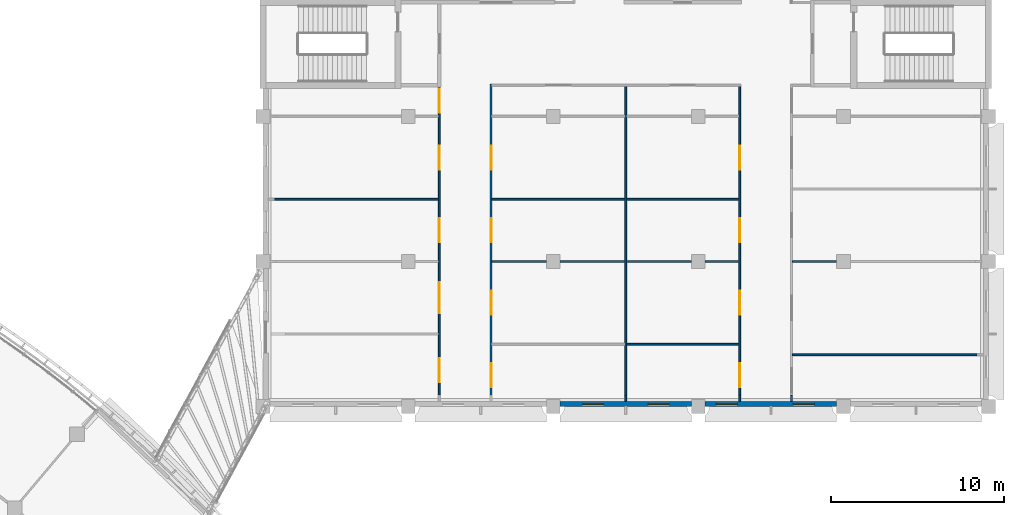
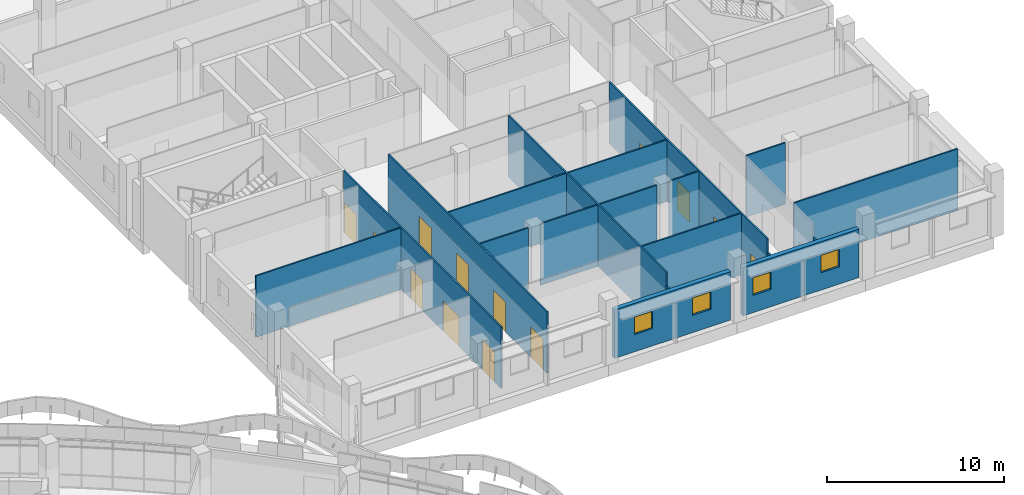
# One storey, part 81 of 136: 19 walls, 13 doors, 4 windows, 17 openings.
"""IFC4 building model written with IfcOpenShell, lengths in metres."""

from ifc_helpers import new_model, si_unit, direction, frame, frame_2d, origin, place, context, subcontext, project, spatial, rectangle, extrude, material, layer, layer_set, type_object, element, fill, save


model = new_model("IFC4")

# Units and contexts
model_context = context("Model", 3, precision=1e-05, world=origin(), true_north=direction((0.0, 1.0)))
body_context = subcontext(model_context, "Body", "Model", "MODEL_VIEW")
ifc_project = project(units=[si_unit("LENGTHUNIT", "METRE"), si_unit("AREAUNIT", "SQUARE_METRE"), si_unit("VOLUMEUNIT", "CUBIC_METRE"), si_unit("PLANEANGLEUNIT", "RADIAN"), si_unit("MASSUNIT", "GRAM", prefix="KILO")], contexts=[model_context])

# Site, building, storey
site_placement = place(None, origin())
site = spatial("IfcSite", under=ifc_project, at=site_placement, CompositionType="ELEMENT")
building_placement = place(site_placement, origin())
building = spatial("IfcBuilding", under=site, at=building_placement, Name="Bougainvillea Quay General Hospital", CompositionType="ELEMENT")
storey_placement = place(building_placement, frame((0.0, 0.0, 5.39990234375)))
storey = spatial("IfcBuildingStorey", under=building, at=storey_placement, Name="L01", CompositionType="ELEMENT", Elevation=5.39990234375)

# Wall, openings, windows
ifc_material_1 = material(Name="Pale stone rainscreen cladding on insulated masonry backing, pale stone", Category="masonry")
ifc_layer_1 = layer(ifc_material_1, 0.300048828125)
ifc_layer_set_1 = layer_set([ifc_layer_1], Name="Pale stone rainscreen cladding on insulated masonry backing, pale stone")
wall_type_1 = type_object("IfcWallType", Name="External wall pale stone rainscreen 300", PredefinedType="STANDARD", material=ifc_layer_set_1)
wall_1_placement = place(storey_placement, frame((181.0, 75.75, 0.0), z_axis=(0.0, 0.0, 1.0), x_axis=(1.0, 0.0, 0.0)))
wall_1 = element("IfcWall", 1, at=wall_1_placement, inside=storey, type_object=wall_type_1, Name="External wall wall/V3/L01/p0/01c", PredefinedType="STANDARD", context=body_context, shape_type="SweptSolid", body=[
    extrude(rectangle(XDim=7.60009765625, YDim=0.300048828125, at=frame_2d((3.800048828125, 0.0))), origin(), (0.0, 0.0, 1.0), 3.35009765625),
])
opening_1_placement = place(wall_1_placement, frame((1.300048828125, 0.0, 1.199951171875)))
opening_1 = element("IfcOpeningElement", 2, at=opening_1_placement, cuts=wall_1, Name="Opening W2", PredefinedType="OPENING", context=body_context, shape_type="SweptSolid", body=[
    extrude(rectangle(XDim=1.199951171875, YDim=1.199951171875, at=frame_2d((0.60009765625, 0.60009765625))), frame((0.0, 0.159912109375, 0.0), z_axis=(0.0, -1.0, 0.0), x_axis=(1.0, 0.0, 0.0)), (0.0, 0.0, 1.0), 0.320068359375),
])
opening_2_placement = place(wall_1_placement, frame((5.10009765625, 0.0, 1.199951171875)))
opening_2 = element("IfcOpeningElement", 3, at=opening_2_placement, cuts=wall_1, Name="Opening W2", PredefinedType="OPENING", context=body_context, shape_type="SweptSolid", body=[
    extrude(rectangle(XDim=1.199951171875, YDim=1.199951171875, at=frame_2d((0.60009765625, 0.60009765625))), frame((0.0, 0.159912109375, 0.0), z_axis=(0.0, -1.0, 0.0), x_axis=(1.0, 0.0, 0.0)), (0.0, 0.0, 1.0), 0.320068359375),
])
ifc_material_2 = material(Name="Aluminium window frame with low-e double glazed unit", Category="aluminium")
window_type = type_object("IfcWindowType", Name="Window W2 1200x1200", PartitioningType="SINGLE_PANEL", PredefinedType="WINDOW", material=ifc_material_2)
window_1_placement = place(opening_1_placement, origin())
window_1 = element("IfcWindow", 4, at=window_1_placement, inside=storey, type_object=window_type, Name="Window W2 1", OverallHeight=1.199951171875, OverallWidth=1.199951171875, PartitioningType="SINGLE_PANEL", PredefinedType="WINDOW", context=body_context, shape_type="SweptSolid", body=[
    extrude(rectangle(XDim=1.199951171875, YDim=1.199951171875, at=frame_2d((0.60009765625, 0.60009765625))), frame((0.0, 0.030029296875, 0.0), z_axis=(0.0, -1.0, 0.0), x_axis=(1.0, 0.0, 0.0)), (0.0, 0.0, 1.0), 0.06005859375),
])
fill(opening_1, window_1)
window_2_placement = place(opening_2_placement, origin())
window_2 = element("IfcWindow", 5, at=window_2_placement, inside=storey, type_object=window_type, Name="Window W2 2", OverallHeight=1.199951171875, OverallWidth=1.199951171875, PartitioningType="SINGLE_PANEL", PredefinedType="WINDOW", context=body_context, shape_type="SweptSolid", body=[
    extrude(rectangle(XDim=1.199951171875, YDim=1.199951171875, at=frame_2d((0.60009765625, 0.60009765625))), frame((0.0, 0.030029296875, 0.0), z_axis=(0.0, -1.0, 0.0), x_axis=(1.0, 0.0, 0.0)), (0.0, 0.0, 1.0), 0.06005859375),
])
fill(opening_2, window_2)

wall_2_placement = place(storey_placement, frame((189.39990234375, 75.75, 0.0), z_axis=(0.0, 0.0, 1.0), x_axis=(1.0, 0.0, 0.0)))
wall_2 = element("IfcWall", 6, at=wall_2_placement, inside=storey, type_object=wall_type_1, Name="External wall wall/V3/L01/p0/01d", PredefinedType="STANDARD", context=body_context, shape_type="SweptSolid", body=[
    extrude(rectangle(XDim=7.60009765625, YDim=0.300048828125, at=frame_2d((3.800048828125, 0.0))), origin(), (0.0, 0.0, 1.0), 3.35009765625),
])
opening_3_placement = place(wall_2_placement, frame((0.64990234375, 0.0, 1.199951171875)))
opening_3 = element("IfcOpeningElement", 7, at=opening_3_placement, cuts=wall_2, Name="Opening W2", PredefinedType="OPENING", context=body_context, shape_type="SweptSolid", body=[
    extrude(rectangle(XDim=1.199951171875, YDim=1.199951171875, at=frame_2d((0.60009765625, 0.60009765625))), frame((0.0, 0.159912109375, 0.0), z_axis=(0.0, -1.0, 0.0), x_axis=(1.0, 0.0, 0.0)), (0.0, 0.0, 1.0), 0.320068359375),
])
opening_4_placement = place(wall_2_placement, frame((5.10009765625, 0.0, 1.199951171875)))
opening_4 = element("IfcOpeningElement", 8, at=opening_4_placement, cuts=wall_2, Name="Opening W2", PredefinedType="OPENING", context=body_context, shape_type="SweptSolid", body=[
    extrude(rectangle(XDim=1.199951171875, YDim=1.199951171875, at=frame_2d((0.60009765625, 0.60009765625))), frame((0.0, 0.159912109375, 0.0), z_axis=(0.0, -1.0, 0.0), x_axis=(1.0, 0.0, 0.0)), (0.0, 0.0, 1.0), 0.320068359375),
])
window_3_placement = place(opening_3_placement, origin())
window_3 = element("IfcWindow", 9, at=window_3_placement, inside=storey, type_object=window_type, Name="Window W2 1", OverallHeight=1.199951171875, OverallWidth=1.199951171875, PartitioningType="SINGLE_PANEL", PredefinedType="WINDOW", context=body_context, shape_type="SweptSolid", body=[
    extrude(rectangle(XDim=1.199951171875, YDim=1.199951171875, at=frame_2d((0.60009765625, 0.60009765625))), frame((0.0, 0.030029296875, 0.0), z_axis=(0.0, -1.0, 0.0), x_axis=(1.0, 0.0, 0.0)), (0.0, 0.0, 1.0), 0.06005859375),
])
fill(opening_3, window_3)
window_4_placement = place(opening_4_placement, origin())
window_4 = element("IfcWindow", 10, at=window_4_placement, inside=storey, type_object=window_type, Name="Window W2 2", OverallHeight=1.199951171875, OverallWidth=1.199951171875, PartitioningType="SINGLE_PANEL", PredefinedType="WINDOW", context=body_context, shape_type="SweptSolid", body=[
    extrude(rectangle(XDim=1.199951171875, YDim=1.199951171875, at=frame_2d((0.60009765625, 0.60009765625))), frame((0.0, 0.030029296875, 0.0), z_axis=(0.0, -1.0, 0.0), x_axis=(1.0, 0.0, 0.0)), (0.0, 0.0, 1.0), 0.06005859375),
])
fill(opening_4, window_4)

# Wall, openings, doors
ifc_material_3 = material(Name="Gypsum board partition on steel studs", Category="steel")
ifc_layer_2 = layer(ifc_material_3, 0.10009765625)
ifc_layer_set_2 = layer_set([ifc_layer_2], Name="Gypsum board partition on steel studs")
wall_type_2 = type_object("IfcWallType", Name="Partition 100 Gypsum board partition", PredefinedType="PARTITIONING", material=ifc_layer_set_2)
wall_3_placement = place(storey_placement, frame((174.0, 94.10009765625, 0.0), z_axis=(0.0, 0.0, 1.0), x_axis=(0.0, -1.0, 0.0)))
wall_3 = element("IfcWall", 11, at=wall_3_placement, inside=storey, type_object=wall_type_2, Name="Partition 100 mm", PredefinedType="PARTITIONING", context=body_context, shape_type="SweptSolid", body=[
    extrude(rectangle(XDim=17.85009765625, YDim=0.10009765625, at=frame_2d((8.925048828125, 0.0))), origin(), (0.0, 0.0, 1.0), 4.25),
])
opening_5_placement = place(wall_3_placement, frame((0.10009765625, 0.0, 0.0)))
opening_5 = element("IfcOpeningElement", 12, at=opening_5_placement, cuts=wall_3, Name="Opening L01.097", PredefinedType="OPENING", context=body_context, shape_type="SweptSolid", body=[
    extrude(rectangle(XDim=1.39990234375, YDim=2.10009765625, at=frame_2d((0.699951171875, 1.050048828125))), frame((0.0, 0.06005859375, 0.0), z_axis=(0.0, -1.0, 0.0), x_axis=(1.0, 0.0, 0.0)), (0.0, 0.0, 1.0), 0.1201171875),
])
opening_6_placement = place(wall_3_placement, frame((3.39990234375, 0.0, 0.0)))
opening_6 = element("IfcOpeningElement", 13, at=opening_6_placement, cuts=wall_3, Name="Opening L01.098", PredefinedType="OPENING", context=body_context, shape_type="SweptSolid", body=[
    extrude(rectangle(XDim=1.39990234375, YDim=2.10009765625, at=frame_2d((0.699951171875, 1.050048828125))), frame((0.0, 0.06005859375, 0.0), z_axis=(0.0, -1.0, 0.0), x_axis=(1.0, 0.0, 0.0)), (0.0, 0.0, 1.0), 0.1201171875),
])
opening_7_placement = place(wall_3_placement, frame((7.60009765625, 0.0, 0.0)))
opening_7 = element("IfcOpeningElement", 14, at=opening_7_placement, cuts=wall_3, Name="Opening L01.099", PredefinedType="OPENING", context=body_context, shape_type="SweptSolid", body=[
    extrude(rectangle(XDim=1.39990234375, YDim=2.10009765625, at=frame_2d((0.699951171875, 1.050048828125))), frame((0.0, 0.06005859375, 0.0), z_axis=(0.0, -1.0, 0.0), x_axis=(1.0, 0.0, 0.0)), (0.0, 0.0, 1.0), 0.1201171875),
])
opening_8_placement = place(wall_3_placement, frame((11.300048828125, 0.0, 0.0)))
opening_8 = element("IfcOpeningElement", 15, at=opening_8_placement, cuts=wall_3, Name="Opening L01.100", PredefinedType="OPENING", context=body_context, shape_type="SweptSolid", body=[
    extrude(rectangle(XDim=1.800048828125, YDim=2.10009765625, at=frame_2d((0.89990234375, 1.050048828125))), frame((0.0, 0.06005859375, 0.0), z_axis=(0.0, -1.0, 0.0), x_axis=(1.0, 0.0, 0.0)), (0.0, 0.0, 1.0), 0.1201171875),
])
opening_9_placement = place(wall_3_placement, frame((15.699951171875, 0.0, 0.0)))
opening_9 = element("IfcOpeningElement", 16, at=opening_9_placement, cuts=wall_3, Name="Opening L01.101", PredefinedType="OPENING", context=body_context, shape_type="SweptSolid", body=[
    extrude(rectangle(XDim=1.39990234375, YDim=2.10009765625, at=frame_2d((0.699951171875, 1.050048828125))), frame((0.0, 0.06005859375, 0.0), z_axis=(0.0, -1.0, 0.0), x_axis=(1.0, 0.0, 0.0)), (0.0, 0.0, 1.0), 0.1201171875),
])
ifc_material_4 = material(Name="Solid-core timber door leaves in steel frame", Category="steel")
door_type_1 = type_object("IfcDoorType", Name="Bed door pair 1400x2100", OperationType="DOUBLE_DOOR_SINGLE_SWING", PredefinedType="DOOR", material=ifc_material_4)
door_1_placement = place(opening_5_placement, frame((1.39990234375, 0.0, 0.0), z_axis=(0.0, 0.0, 1.0), x_axis=(-1.0, 0.0, 0.0)))
door_1 = element("IfcDoor", 17, at=door_1_placement, inside=storey, type_object=door_type_1, Name="DT09 L01.097", OperationType="DOUBLE_DOOR_SINGLE_SWING", OverallHeight=2.10009765625, OverallWidth=1.39990234375, PredefinedType="DOOR", context=body_context, shape_type="SweptSolid", body=[
    extrude(rectangle(XDim=1.39990234375, YDim=2.10009765625, at=frame_2d((0.699951171875, 1.050048828125))), frame((0.0, 0.02490234375, 0.0), z_axis=(0.0, -1.0, 0.0), x_axis=(1.0, 0.0, 0.0)), (0.0, 0.0, 1.0), 0.050048828125),
])
fill(opening_5, door_1)
door_2_placement = place(opening_6_placement, frame((1.39990234375, 0.0, 0.0), z_axis=(0.0, 0.0, 1.0), x_axis=(-1.0, 0.0, 0.0)))
door_2 = element("IfcDoor", 18, at=door_2_placement, inside=storey, type_object=door_type_1, Name="DT09 L01.098", OperationType="DOUBLE_DOOR_SINGLE_SWING", OverallHeight=2.10009765625, OverallWidth=1.39990234375, PredefinedType="DOOR", context=body_context, shape_type="SweptSolid", body=[
    extrude(rectangle(XDim=1.39990234375, YDim=2.10009765625, at=frame_2d((0.699951171875, 1.050048828125))), frame((0.0, 0.02490234375, 0.0), z_axis=(0.0, -1.0, 0.0), x_axis=(1.0, 0.0, 0.0)), (0.0, 0.0, 1.0), 0.050048828125),
])
fill(opening_6, door_2)
door_3_placement = place(opening_7_placement, frame((1.39990234375, 0.0, 0.0), z_axis=(0.0, 0.0, 1.0), x_axis=(-1.0, 0.0, 0.0)))
door_3 = element("IfcDoor", 19, at=door_3_placement, inside=storey, type_object=door_type_1, Name="DT09 L01.099", OperationType="DOUBLE_DOOR_SINGLE_SWING", OverallHeight=2.10009765625, OverallWidth=1.39990234375, PredefinedType="DOOR", context=body_context, shape_type="SweptSolid", body=[
    extrude(rectangle(XDim=1.39990234375, YDim=2.10009765625, at=frame_2d((0.699951171875, 1.050048828125))), frame((0.0, 0.02490234375, 0.0), z_axis=(0.0, -1.0, 0.0), x_axis=(1.0, 0.0, 0.0)), (0.0, 0.0, 1.0), 0.050048828125),
])
fill(opening_7, door_3)
door_4_placement = place(opening_9_placement, frame((1.39990234375, 0.0, 0.0), z_axis=(0.0, 0.0, 1.0), x_axis=(-1.0, 0.0, 0.0)))
door_4 = element("IfcDoor", 20, at=door_4_placement, inside=storey, type_object=door_type_1, Name="DT09 L01.101", OperationType="DOUBLE_DOOR_SINGLE_SWING", OverallHeight=2.10009765625, OverallWidth=1.39990234375, PredefinedType="DOOR", context=body_context, shape_type="SweptSolid", body=[
    extrude(rectangle(XDim=1.39990234375, YDim=2.10009765625, at=frame_2d((0.699951171875, 1.050048828125))), frame((0.0, 0.02490234375, 0.0), z_axis=(0.0, -1.0, 0.0), x_axis=(1.0, 0.0, 0.0)), (0.0, 0.0, 1.0), 0.050048828125),
])
fill(opening_9, door_4)
door_type_2 = type_object("IfcDoorType", Name="Double leaf door 1800x2100", OperationType="DOUBLE_DOOR_SINGLE_SWING", PredefinedType="DOOR", material=ifc_material_4)
door_5_placement = place(opening_8_placement, frame((1.800048828125, 0.0, 0.0), z_axis=(0.0, 0.0, 1.0), x_axis=(-1.0, 0.0, 0.0)))
door_5 = element("IfcDoor", 21, at=door_5_placement, inside=storey, type_object=door_type_2, Name="DT08 L01.100", OperationType="DOUBLE_DOOR_SINGLE_SWING", OverallHeight=2.10009765625, OverallWidth=1.800048828125, PredefinedType="DOOR", context=body_context, shape_type="SweptSolid", body=[
    extrude(rectangle(XDim=1.800048828125, YDim=2.10009765625, at=frame_2d((0.89990234375, 1.050048828125))), frame((0.0, 0.02490234375, 0.0), z_axis=(0.0, -1.0, 0.0), x_axis=(1.0, 0.0, 0.0)), (0.0, 0.0, 1.0), 0.050048828125),
])
fill(opening_8, door_5)

wall_4_placement = place(storey_placement, frame((177.0, 94.25, 0.0), z_axis=(0.0, 0.0, 1.0), x_axis=(0.0, -1.0, 0.0)))
wall_4 = element("IfcWall", 22, at=wall_4_placement, inside=storey, type_object=wall_type_2, Name="Partition 100 mm", PredefinedType="PARTITIONING", context=body_context, shape_type="SweptSolid", body=[
    extrude(rectangle(XDim=18.0, YDim=0.10009765625, at=frame_2d((9.0, 0.0))), origin(), (0.0, 0.0, 1.0), 4.25),
])
opening_10_placement = place(wall_4_placement, frame((3.550048828125, 0.0, 0.0)))
opening_10 = element("IfcOpeningElement", 23, at=opening_10_placement, cuts=wall_4, Name="Opening L01.103", PredefinedType="OPENING", context=body_context, shape_type="SweptSolid", body=[
    extrude(rectangle(XDim=1.39990234375, YDim=2.10009765625, at=frame_2d((0.699951171875, 1.050048828125))), frame((0.0, 0.06005859375, 0.0), z_axis=(0.0, -1.0, 0.0), x_axis=(1.0, 0.0, 0.0)), (0.0, 0.0, 1.0), 0.1201171875),
])
opening_11_placement = place(wall_4_placement, frame((7.75, 0.0, 0.0)))
opening_11 = element("IfcOpeningElement", 24, at=opening_11_placement, cuts=wall_4, Name="Opening L01.104", PredefinedType="OPENING", context=body_context, shape_type="SweptSolid", body=[
    extrude(rectangle(XDim=1.39990234375, YDim=2.10009765625, at=frame_2d((0.699951171875, 1.050048828125))), frame((0.0, 0.06005859375, 0.0), z_axis=(0.0, -1.0, 0.0), x_axis=(1.0, 0.0, 0.0)), (0.0, 0.0, 1.0), 0.1201171875),
])
opening_12_placement = place(wall_4_placement, frame((11.949951171875, 0.0, 0.0)))
opening_12 = element("IfcOpeningElement", 25, at=opening_12_placement, cuts=wall_4, Name="Opening L01.105", PredefinedType="OPENING", context=body_context, shape_type="SweptSolid", body=[
    extrude(rectangle(XDim=1.39990234375, YDim=2.10009765625, at=frame_2d((0.699951171875, 1.050048828125))), frame((0.0, 0.06005859375, 0.0), z_axis=(0.0, -1.0, 0.0), x_axis=(1.0, 0.0, 0.0)), (0.0, 0.0, 1.0), 0.1201171875),
])
opening_13_placement = place(wall_4_placement, frame((16.14990234375, 0.0, 0.0)))
opening_13 = element("IfcOpeningElement", 26, at=opening_13_placement, cuts=wall_4, Name="Opening L01.106", PredefinedType="OPENING", context=body_context, shape_type="SweptSolid", body=[
    extrude(rectangle(XDim=1.39990234375, YDim=2.10009765625, at=frame_2d((0.699951171875, 1.050048828125))), frame((0.0, 0.06005859375, 0.0), z_axis=(0.0, -1.0, 0.0), x_axis=(1.0, 0.0, 0.0)), (0.0, 0.0, 1.0), 0.1201171875),
])
door_6_placement = place(opening_10_placement, origin())
door_6 = element("IfcDoor", 27, at=door_6_placement, inside=storey, type_object=door_type_1, Name="DT09 L01.103", OperationType="DOUBLE_DOOR_SINGLE_SWING", OverallHeight=2.10009765625, OverallWidth=1.39990234375, PredefinedType="DOOR", context=body_context, shape_type="SweptSolid", body=[
    extrude(rectangle(XDim=1.39990234375, YDim=2.10009765625, at=frame_2d((0.699951171875, 1.050048828125))), frame((0.0, 0.02490234375, 0.0), z_axis=(0.0, -1.0, 0.0), x_axis=(1.0, 0.0, 0.0)), (0.0, 0.0, 1.0), 0.050048828125),
])
fill(opening_10, door_6)
door_7_placement = place(opening_11_placement, origin())
door_7 = element("IfcDoor", 28, at=door_7_placement, inside=storey, type_object=door_type_1, Name="DT09 L01.104", OperationType="DOUBLE_DOOR_SINGLE_SWING", OverallHeight=2.10009765625, OverallWidth=1.39990234375, PredefinedType="DOOR", context=body_context, shape_type="SweptSolid", body=[
    extrude(rectangle(XDim=1.39990234375, YDim=2.10009765625, at=frame_2d((0.699951171875, 1.050048828125))), frame((0.0, 0.02490234375, 0.0), z_axis=(0.0, -1.0, 0.0), x_axis=(1.0, 0.0, 0.0)), (0.0, 0.0, 1.0), 0.050048828125),
])
fill(opening_11, door_7)
door_8_placement = place(opening_12_placement, origin())
door_8 = element("IfcDoor", 29, at=door_8_placement, inside=storey, type_object=door_type_1, Name="DT09 L01.105", OperationType="DOUBLE_DOOR_SINGLE_SWING", OverallHeight=2.10009765625, OverallWidth=1.39990234375, PredefinedType="DOOR", context=body_context, shape_type="SweptSolid", body=[
    extrude(rectangle(XDim=1.39990234375, YDim=2.10009765625, at=frame_2d((0.699951171875, 1.050048828125))), frame((0.0, 0.02490234375, 0.0), z_axis=(0.0, -1.0, 0.0), x_axis=(1.0, 0.0, 0.0)), (0.0, 0.0, 1.0), 0.050048828125),
])
fill(opening_12, door_8)
door_9_placement = place(opening_13_placement, origin())
door_9 = element("IfcDoor", 30, at=door_9_placement, inside=storey, type_object=door_type_1, Name="DT09 L01.106", OperationType="DOUBLE_DOOR_SINGLE_SWING", OverallHeight=2.10009765625, OverallWidth=1.39990234375, PredefinedType="DOOR", context=body_context, shape_type="SweptSolid", body=[
    extrude(rectangle(XDim=1.39990234375, YDim=2.10009765625, at=frame_2d((0.699951171875, 1.050048828125))), frame((0.0, 0.02490234375, 0.0), z_axis=(0.0, -1.0, 0.0), x_axis=(1.0, 0.0, 0.0)), (0.0, 0.0, 1.0), 0.050048828125),
])
fill(opening_13, door_9)

# Walls
wall_5_placement = place(storey_placement, frame((184.800048828125, 94.14990234375, 0.0), z_axis=(0.0, 0.0, 1.0), x_axis=(0.0, -1.0, 0.0)))
element("IfcWall", 31, at=wall_5_placement, inside=storey, type_object=wall_type_2, Name="Partition 100 mm", PredefinedType="PARTITIONING", context=body_context, shape_type="SweptSolid", body=[
    extrude(rectangle(XDim=17.89990234375, YDim=0.10009765625, at=frame_2d((8.949951171875, 0.0))), origin(), (0.0, 0.0, 1.0), 4.25),
])
wall_6_placement = place(storey_placement, frame((184.800048828125, 76.25, 0.0), z_axis=(0.0, 0.0, 1.0), x_axis=(0.0, -1.0, 0.0)))
element("IfcWall", 32, at=wall_6_placement, inside=storey, type_object=wall_type_2, Name="Partition 100 mm", PredefinedType="PARTITIONING", context=body_context, shape_type="SweptSolid", body=[
    extrude(rectangle(XDim=0.35009765625, YDim=0.10009765625, at=frame_2d((0.175048828125, 0.0))), origin(), (0.0, 0.0, 1.0), 3.330078125),
])

# Wall, openings, doors
wall_7_placement = place(storey_placement, frame((191.39990234375, 94.14990234375, 0.0), z_axis=(0.0, 0.0, 1.0), x_axis=(0.0, -1.0, 0.0)))
wall_7 = element("IfcWall", 33, at=wall_7_placement, inside=storey, type_object=wall_type_2, Name="Partition 100 mm", PredefinedType="PARTITIONING", context=body_context, shape_type="SweptSolid", body=[
    extrude(rectangle(XDim=17.89990234375, YDim=0.10009765625, at=frame_2d((8.949951171875, 0.0))), origin(), (0.0, 0.0, 1.0), 4.25),
])
opening_14_placement = place(wall_7_placement, frame((3.449951171875, 0.0, 0.0)))
opening_14 = element("IfcOpeningElement", 34, at=opening_14_placement, cuts=wall_7, Name="Opening L01.108", PredefinedType="OPENING", context=body_context, shape_type="SweptSolid", body=[
    extrude(rectangle(XDim=1.39990234375, YDim=2.10009765625, at=frame_2d((0.699951171875, 1.050048828125))), frame((0.0, 0.06005859375, 0.0), z_axis=(0.0, -1.0, 0.0), x_axis=(1.0, 0.0, 0.0)), (0.0, 0.0, 1.0), 0.1201171875),
])
opening_15_placement = place(wall_7_placement, frame((7.64990234375, 0.0, 0.0)))
opening_15 = element("IfcOpeningElement", 35, at=opening_15_placement, cuts=wall_7, Name="Opening L01.109", PredefinedType="OPENING", context=body_context, shape_type="SweptSolid", body=[
    extrude(rectangle(XDim=1.39990234375, YDim=2.10009765625, at=frame_2d((0.699951171875, 1.050048828125))), frame((0.0, 0.06005859375, 0.0), z_axis=(0.0, -1.0, 0.0), x_axis=(1.0, 0.0, 0.0)), (0.0, 0.0, 1.0), 0.1201171875),
])
opening_16_placement = place(wall_7_placement, frame((11.85009765625, 0.0, 0.0)))
opening_16 = element("IfcOpeningElement", 36, at=opening_16_placement, cuts=wall_7, Name="Opening L01.110", PredefinedType="OPENING", context=body_context, shape_type="SweptSolid", body=[
    extrude(rectangle(XDim=1.39990234375, YDim=2.10009765625, at=frame_2d((0.699951171875, 1.050048828125))), frame((0.0, 0.06005859375, 0.0), z_axis=(0.0, -1.0, 0.0), x_axis=(1.0, 0.0, 0.0)), (0.0, 0.0, 1.0), 0.1201171875),
])
opening_17_placement = place(wall_7_placement, frame((16.050048828125, 0.0, 0.0)))
opening_17 = element("IfcOpeningElement", 37, at=opening_17_placement, cuts=wall_7, Name="Opening L01.111", PredefinedType="OPENING", context=body_context, shape_type="SweptSolid", body=[
    extrude(rectangle(XDim=1.39990234375, YDim=2.10009765625, at=frame_2d((0.699951171875, 1.050048828125))), frame((0.0, 0.06005859375, 0.0), z_axis=(0.0, -1.0, 0.0), x_axis=(1.0, 0.0, 0.0)), (0.0, 0.0, 1.0), 0.1201171875),
])
door_10_placement = place(opening_14_placement, frame((1.39990234375, 0.0, 0.0), z_axis=(0.0, 0.0, 1.0), x_axis=(-1.0, 0.0, 0.0)))
door_10 = element("IfcDoor", 38, at=door_10_placement, inside=storey, type_object=door_type_1, Name="DT09 L01.108", OperationType="DOUBLE_DOOR_SINGLE_SWING", OverallHeight=2.10009765625, OverallWidth=1.39990234375, PredefinedType="DOOR", context=body_context, shape_type="SweptSolid", body=[
    extrude(rectangle(XDim=1.39990234375, YDim=2.10009765625, at=frame_2d((0.699951171875, 1.050048828125))), frame((0.0, 0.02490234375, 0.0), z_axis=(0.0, -1.0, 0.0), x_axis=(1.0, 0.0, 0.0)), (0.0, 0.0, 1.0), 0.050048828125),
])
fill(opening_14, door_10)
door_11_placement = place(opening_15_placement, frame((1.39990234375, 0.0, 0.0), z_axis=(0.0, 0.0, 1.0), x_axis=(-1.0, 0.0, 0.0)))
door_11 = element("IfcDoor", 39, at=door_11_placement, inside=storey, type_object=door_type_1, Name="DT09 L01.109", OperationType="DOUBLE_DOOR_SINGLE_SWING", OverallHeight=2.10009765625, OverallWidth=1.39990234375, PredefinedType="DOOR", context=body_context, shape_type="SweptSolid", body=[
    extrude(rectangle(XDim=1.39990234375, YDim=2.10009765625, at=frame_2d((0.699951171875, 1.050048828125))), frame((0.0, 0.02490234375, 0.0), z_axis=(0.0, -1.0, 0.0), x_axis=(1.0, 0.0, 0.0)), (0.0, 0.0, 1.0), 0.050048828125),
])
fill(opening_15, door_11)
door_12_placement = place(opening_16_placement, frame((1.39990234375, 0.0, 0.0), z_axis=(0.0, 0.0, 1.0), x_axis=(-1.0, 0.0, 0.0)))
door_12 = element("IfcDoor", 40, at=door_12_placement, inside=storey, type_object=door_type_1, Name="DT09 L01.110", OperationType="DOUBLE_DOOR_SINGLE_SWING", OverallHeight=2.10009765625, OverallWidth=1.39990234375, PredefinedType="DOOR", context=body_context, shape_type="SweptSolid", body=[
    extrude(rectangle(XDim=1.39990234375, YDim=2.10009765625, at=frame_2d((0.699951171875, 1.050048828125))), frame((0.0, 0.02490234375, 0.0), z_axis=(0.0, -1.0, 0.0), x_axis=(1.0, 0.0, 0.0)), (0.0, 0.0, 1.0), 0.050048828125),
])
fill(opening_16, door_12)
door_13_placement = place(opening_17_placement, frame((1.39990234375, 0.0, 0.0), z_axis=(0.0, 0.0, 1.0), x_axis=(-1.0, 0.0, 0.0)))
door_13 = element("IfcDoor", 41, at=door_13_placement, inside=storey, type_object=door_type_1, Name="DT09 L01.111", OperationType="DOUBLE_DOOR_SINGLE_SWING", OverallHeight=2.10009765625, OverallWidth=1.39990234375, PredefinedType="DOOR", context=body_context, shape_type="SweptSolid", body=[
    extrude(rectangle(XDim=1.39990234375, YDim=2.10009765625, at=frame_2d((0.699951171875, 1.050048828125))), frame((0.0, 0.02490234375, 0.0), z_axis=(0.0, -1.0, 0.0), x_axis=(1.0, 0.0, 0.0)), (0.0, 0.0, 1.0), 0.050048828125),
])
fill(opening_17, door_13)

# Walls
for number, where, z_axis, x_axis, name in (
    (42, (191.39990234375, 76.25, 0.0), (0.0, 0.0, 1.0), (0.0, -1.0, 0.0), "Partition 100 mm"),
    (43, (194.39990234375, 76.25, 0.0), (0.0, 0.0, 1.0), (0.0, -1.0, 0.0), "Partition 100 mm"),
):
    element("IfcWall", number, at=place(storey_placement, frame(where, z_axis=z_axis, x_axis=x_axis)), inside=storey, type_object=wall_type_2, Name=name, PredefinedType="PARTITIONING", context=body_context, shape_type="SweptSolid", body=[
        extrude(rectangle(XDim=0.35009765625, YDim=0.10009765625, at=frame_2d((0.175048828125, 0.0))), origin(), (0.0, 0.0, 1.0), 3.330078125),
    ])
wall_8_placement = place(storey_placement, frame((184.85009765625, 79.199951171875, 0.0), z_axis=(0.0, 0.0, 1.0), x_axis=(1.0, 0.0, 0.0)))
element("IfcWall", 44, at=wall_8_placement, inside=storey, type_object=wall_type_2, Name="Partition 100 mm", PredefinedType="PARTITIONING", context=body_context, shape_type="SweptSolid", body=[
    extrude(rectangle(XDim=6.5, YDim=0.10009765625, at=frame_2d((3.25, 0.0))), origin(), (0.0, 0.0, 1.0), 4.25),
])
wall_9_placement = place(storey_placement, frame((177.050048828125, 84.0, 0.0), z_axis=(0.0, 0.0, 1.0), x_axis=(1.0, 0.0, 0.0)))
element("IfcWall", 45, at=wall_9_placement, inside=storey, type_object=wall_type_2, Name="Partition 100 mm", PredefinedType="PARTITIONING", context=body_context, shape_type="SweptSolid", body=[
    extrude(rectangle(XDim=3.14990234375, YDim=0.10009765625, at=frame_2d((1.574951171875, 0.0))), origin(), (0.0, 0.0, 1.0), 4.25),
])
for number, where, z_axis, x_axis, name in (
    (46, (181.0, 84.0, 0.0), (0.0, 0.0, 1.0), (1.0, 0.0, 0.0), "Partition 100 mm"),
    (47, (184.85009765625, 84.0, 0.0), (0.0, 0.0, 1.0), (1.0, 0.0, 0.0), "Partition 100 mm"),
):
    element("IfcWall", number, at=place(storey_placement, frame(where, z_axis=z_axis, x_axis=x_axis)), inside=storey, type_object=wall_type_2, Name=name, PredefinedType="PARTITIONING", context=body_context, shape_type="SweptSolid", body=[
        extrude(rectangle(XDim=3.75, YDim=0.10009765625, at=frame_2d((1.875, 0.0))), origin(), (0.0, 0.0, 1.0), 4.25),
    ])
wall_10_placement = place(storey_placement, frame((189.39990234375, 84.0, 0.0), z_axis=(0.0, 0.0, 1.0), x_axis=(1.0, 0.0, 0.0)))
element("IfcWall", 48, at=wall_10_placement, inside=storey, type_object=wall_type_2, Name="Partition 100 mm", PredefinedType="PARTITIONING", context=body_context, shape_type="SweptSolid", body=[
    extrude(rectangle(XDim=1.9501953125, YDim=0.10009765625, at=frame_2d((0.97509765625, 0.0))), origin(), (0.0, 0.0, 1.0), 4.25),
])
wall_11_placement = place(storey_placement, frame((177.050048828125, 87.60009765625, 0.0), z_axis=(0.0, 0.0, 1.0), x_axis=(1.0, 0.0, 0.0)))
element("IfcWall", 49, at=wall_11_placement, inside=storey, type_object=wall_type_2, Name="Partition 100 mm", PredefinedType="PARTITIONING", context=body_context, shape_type="SweptSolid", body=[
    extrude(rectangle(XDim=7.699951171875, YDim=0.10009765625, at=frame_2d((3.85009765625, 0.0))), origin(), (0.0, 0.0, 1.0), 4.25),
])
wall_12_placement = place(storey_placement, frame((184.85009765625, 87.60009765625, 0.0), z_axis=(0.0, 0.0, 1.0), x_axis=(1.0, 0.0, 0.0)))
element("IfcWall", 50, at=wall_12_placement, inside=storey, type_object=wall_type_2, Name="Partition 100 mm", PredefinedType="PARTITIONING", context=body_context, shape_type="SweptSolid", body=[
    extrude(rectangle(XDim=6.5, YDim=0.10009765625, at=frame_2d((3.25, 0.0))), origin(), (0.0, 0.0, 1.0), 4.25),
])
wall_13_placement = place(storey_placement, frame((194.449951171875, 78.60009765625, 0.0), z_axis=(0.0, 0.0, 1.0), x_axis=(1.0, 0.0, 0.0)))
element("IfcWall", 51, at=wall_13_placement, inside=storey, type_object=wall_type_2, Name="Partition 100 mm", PredefinedType="PARTITIONING", context=body_context, shape_type="SweptSolid", body=[
    extrude(rectangle(XDim=10.699951171875, YDim=0.10009765625, at=frame_2d((5.35009765625, 0.0))), origin(), (0.0, 0.0, 1.0), 4.25),
])
wall_14_placement = place(storey_placement, frame((194.449951171875, 84.0, 0.0), z_axis=(0.0, 0.0, 1.0), x_axis=(1.0, 0.0, 0.0)))
element("IfcWall", 52, at=wall_14_placement, inside=storey, type_object=wall_type_2, Name="Partition 100 mm", PredefinedType="PARTITIONING", context=body_context, shape_type="SweptSolid", body=[
    extrude(rectangle(XDim=2.550048828125, YDim=0.10009765625, at=frame_2d((1.27490234375, 0.0))), origin(), (0.0, 0.0, 1.0), 4.25),
])
wall_15_placement = place(storey_placement, frame((164.449951171875, 87.60009765625, 0.0), z_axis=(0.0, 0.0, 1.0), x_axis=(1.0, 0.0, 0.0)))
element("IfcWall", 53, at=wall_15_placement, inside=storey, type_object=wall_type_2, Name="Partition 100 mm", PredefinedType="PARTITIONING", context=body_context, shape_type="SweptSolid", body=[
    extrude(rectangle(XDim=9.5, YDim=0.10009765625, at=frame_2d((4.75, 0.0))), origin(), (0.0, 0.0, 1.0), 4.25),
])

save(model, "model.ifc")
